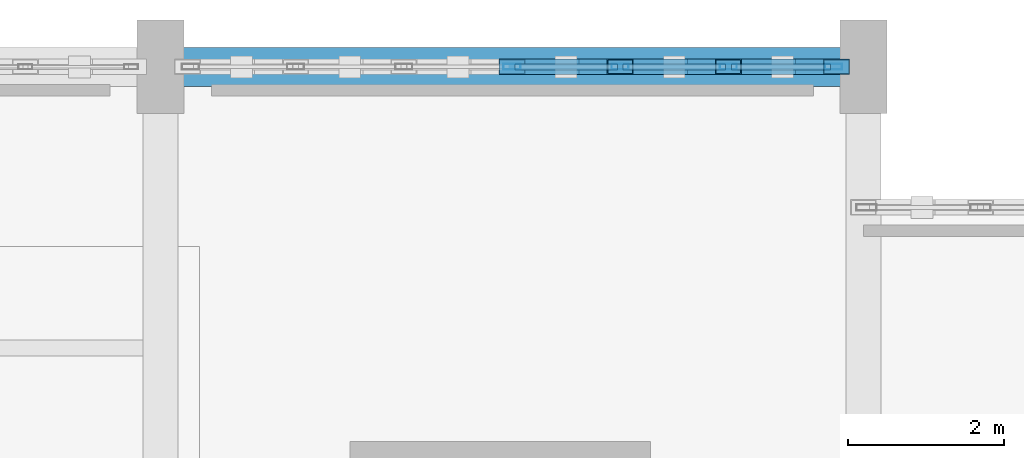
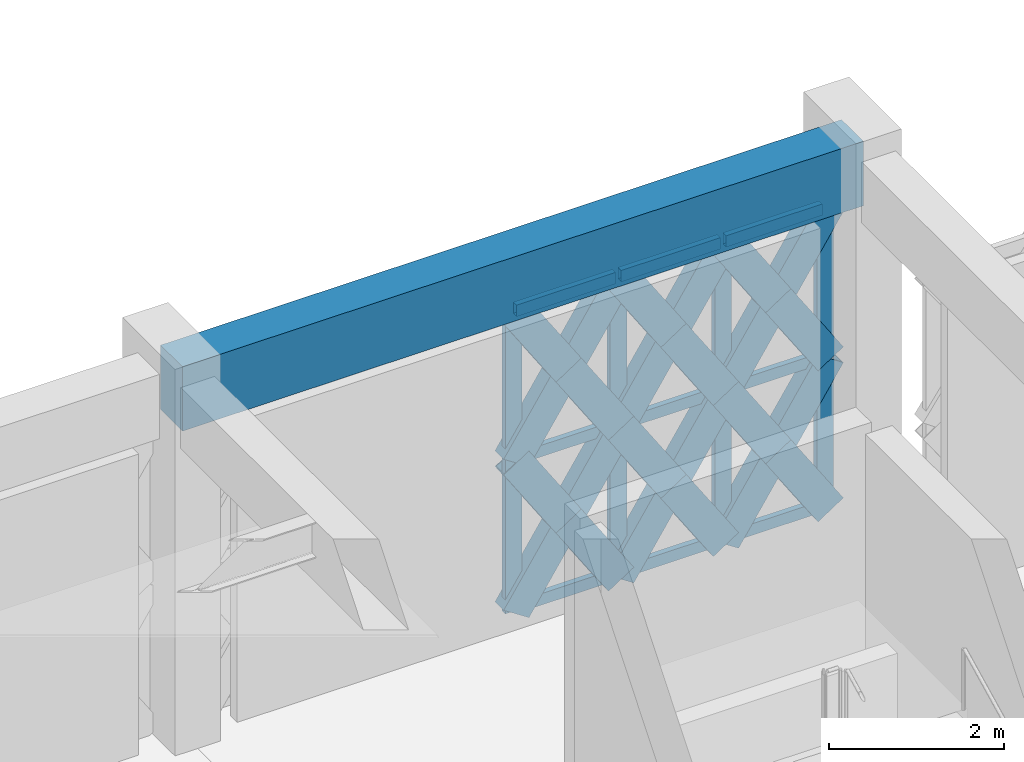
# One storey, part 76 of 140: 31 members, 1 beam, 1 element without a shape of its own.
"""IFC4 building model written with IfcOpenShell, lengths in metres."""

import ifcopenshell
import ifcopenshell.guid

model = None  # the IFC model being written
_history = None  # IfcOwnerHistory: only IFC2X3 demands one
_inside = {}  # id of a spatial element -> (the spatial element, [elements in it])
_under = {}  # id of a project, library or spatial element -> (it, [spatial elements below it])
_declared = {}  # id of a project -> (the project, [libraries it declares])
_typed = {}  # id of a type object -> (the type object, [elements of that type])
_made_of = {}  # id of a material, layer set ... -> (it, [elements and type objects made of it])


def new_model(schema):
    """Start an empty IFC model of exactly this schema.

    Asked for "IFC4X3", IfcOpenShell would pick the latest addendum, in which some entities
    have other attributes; the version numbers below select the first issue.
    IFC2X3 requires an IfcOwnerHistory on every rooted entity: one is made here for all.
    """
    global model, _history
    if schema == "IFC4X3":
        model = ifcopenshell.file(schema_version=(4, 3, 0, 0))
    else:
        model = ifcopenshell.file(schema=schema)
    _inside.clear()
    _under.clear()
    _declared.clear()
    _typed.clear()
    _made_of.clear()
    _history = None
    if model.schema == "IFC2X3":
        org = make("IfcOrganization", Name="unknown")
        user = make(
            "IfcPersonAndOrganization",
            ThePerson=make("IfcPerson", FamilyName="unknown"),
            TheOrganization=org,
        )
        app = make(
            "IfcApplication",
            ApplicationDeveloper=org,
            Version="unknown",
            ApplicationFullName="unknown",
            ApplicationIdentifier="unknown",
        )
        _history = make(
            "IfcOwnerHistory",
            OwningUser=user,
            OwningApplication=app,
            ChangeAction="ADDED",
            CreationDate=0,
        )
    return model


def make(cls, **values):
    """One entity of the class cls with the attributes given. An attribute that is None is left unset."""
    return model.create_entity(
        cls, **{name: value for name, value in values.items() if value is not None}
    )


def rooted(cls, **values):
    """An entity with a GlobalId (a new one), such as an element, a storey or a relation."""
    return make(cls, GlobalId=ifcopenshell.guid.new(), OwnerHistory=_history, **values)


def si_unit(unit_type, name, prefix=None):
    """IfcSIUnit, for example si_unit("LENGTHUNIT", "METRE", prefix="MILLI")."""
    return make("IfcSIUnit", UnitType=unit_type, Prefix=prefix, Name=name)


def assignment(units):
    """IfcUnitAssignment: the units of a project."""
    return None if units is None else make("IfcUnitAssignment", Units=units)


def point(xyz):
    """IfcCartesianPoint."""
    return None if xyz is None else make("IfcCartesianPoint", Coordinates=xyz)


def direction(xyz):
    """IfcDirection."""
    return None if xyz is None else make("IfcDirection", DirectionRatios=xyz)


def frame(location, z_axis=None, x_axis=None):
    """IfcAxis2Placement3D, a coordinate frame: its origin and axes. An axis left out is left unset."""
    return make(
        "IfcAxis2Placement3D",
        Location=point(location),
        Axis=direction(z_axis),
        RefDirection=direction(x_axis),
    )


def frame_2d(location, x_axis=None):
    """IfcAxis2Placement2D, a coordinate frame in the plane: its origin and x axis."""
    return make(
        "IfcAxis2Placement2D", Location=point(location), RefDirection=direction(x_axis)
    )


def origin():
    """The frame at (0, 0, 0) with its axes left unset."""
    return frame((0.0, 0.0, 0.0))


def origin_2d():
    """The frame at (0, 0) in the plane with its x axis left unset."""
    return frame_2d((0.0, 0.0))


def place(relative_to, where):
    """IfcLocalPlacement: puts the frame where relative to a parent placement (None: the world)."""
    return make(
        "IfcLocalPlacement", PlacementRelTo=relative_to, RelativePlacement=where
    )


def context(
    kind, dimensions, precision=None, world=None, true_north=None, identifier=None
):
    """IfcGeometricRepresentationContext, for example the 3D "Model" context."""
    return make(
        "IfcGeometricRepresentationContext",
        ContextIdentifier=identifier,
        ContextType=kind,
        CoordinateSpaceDimension=dimensions,
        Precision=precision,
        WorldCoordinateSystem=world,
        TrueNorth=true_north,
    )


def subcontext(parent, identifier, kind, view, scale=None):
    """IfcGeometricRepresentationSubContext, for example "Body" below "Model"."""
    return make(
        "IfcGeometricRepresentationSubContext",
        ContextIdentifier=identifier,
        ContextType=kind,
        ParentContext=parent,
        TargetScale=scale,
        TargetView=view,
    )


def project(units=None, contexts=None):
    """IfcProject with its units and contexts."""
    return rooted(
        "IfcProject",
        Name="project",
        RepresentationContexts=contexts,
        UnitsInContext=assignment(units),
    )


def spatial(cls, under=None, at=None, **own):
    """A site, building, storey or space (cls), placed at a placement, below another one or the project."""
    s = rooted(cls, ObjectPlacement=at, **own)
    if under is not None:
        _under.setdefault(under.id(), (under, []))[1].append(s)
    return s


def profile(cls, at=None, kind="AREA", **sizes):
    """A parametric profile (cls). Its sizes go by their IFC names, for example OverallWidth=200.0."""
    return make(cls, ProfileType=kind, Position=at, **sizes)


def rectangle(**sizes):
    """IfcRectangleProfileDef."""
    return profile("IfcRectangleProfileDef", **sizes)


def hollow_rectangle(**sizes):
    """IfcRectangleHollowProfileDef."""
    return profile("IfcRectangleHollowProfileDef", **sizes)


def extrude(swept, where, along, depth):
    """IfcExtrudedAreaSolid: the profile swept, set in the frame where, extruded along a direction by depth."""
    return make(
        "IfcExtrudedAreaSolid",
        SweptArea=swept,
        Position=where,
        ExtrudedDirection=direction(along),
        Depth=depth,
    )


def shape(context_of_items, identifier, shape_type, items):
    """IfcShapeRepresentation: the items that make up one representation, for example the "Body"."""
    return make(
        "IfcShapeRepresentation",
        ContextOfItems=context_of_items,
        RepresentationIdentifier=identifier,
        RepresentationType=shape_type,
        Items=items,
    )


def material(Name=None, Category=None):
    """IfcMaterial."""
    return make("IfcMaterial", Name=Name, Category=Category)


def material_profile(
    of_material, cross_section, Name=None, Category=None, Priority=None
):
    """IfcMaterialProfile: a cross section and its material."""
    return make(
        "IfcMaterialProfile",
        Name=Name,
        Material=of_material,
        Profile=cross_section,
        Priority=Priority,
        Category=Category,
    )


def profile_set(profiles, Name=None, composite=None):
    """IfcMaterialProfileSet."""
    return make(
        "IfcMaterialProfileSet",
        Name=Name,
        MaterialProfiles=profiles,
        CompositeProfile=composite,
    )


def made_of(thing, what):
    """Note that an element or type object is made of a material, layer set ...; save() writes the relation."""
    if what is not None:
        _made_of.setdefault(what.id(), (what, []))[1].append(thing)
    return thing


def type_object(cls, material=None, **own):
    """A type object (cls), such as IfcWallType, which elements share."""
    return made_of(rooted(cls, **own), material)


def element(
    cls,
    number,
    at=None,
    inside=None,
    cuts=None,
    type_object=None,
    material=None,
    context=None,
    identifier="Body",
    shape_type=None,
    held_by="IfcProductDefinitionShape",
    body=None,
    shapes=None,
    **own,
):
    """One element of the class cls, such as IfcWall. Its Tag is "e" and its number.

    at: its placement. inside: the storey or other place that contains it. cuts: it is an
    opening in that element (IfcRelVoidsElement). A single representation is given by context,
    identifier, shape_type and body (its items); several are given by shapes. held_by: the class
    of the entity that holds the representations. save() writes the other relations.
    """
    e = rooted(cls, Tag="e%d" % number, ObjectPlacement=at, **own)
    if body is not None:
        shapes = [shape(context, identifier, shape_type, body)]
    if shapes is not None:
        e.Representation = make(held_by, Representations=shapes)
    if inside is not None:
        _inside.setdefault(inside.id(), (inside, []))[1].append(e)
    if cuts is not None:
        rooted(
            "IfcRelVoidsElement", RelatingBuildingElement=cuts, RelatedOpeningElement=e
        )
    if type_object is not None:
        _typed.setdefault(type_object.id(), (type_object, []))[1].append(e)
    return made_of(e, material)


def aggregate(whole, parts):
    """IfcRelAggregates: a whole, such as a stair, and the parts it consists of."""
    return rooted("IfcRelAggregates", RelatingObject=whole, RelatedObjects=parts)


def save(model, path):
    """Write the relations noted so far, then the file.

    IfcRelAggregates (storeys below a building ...), IfcRelContainedInSpatialStructure (elements
    in a storey), IfcRelDefinesByType, IfcRelAssociatesMaterial and IfcRelDeclares: one each for
    every whole, place, type object, material and project.
    """
    for whole, parts in _under.values():
        aggregate(whole, parts)
    for where, things in _inside.values():
        rooted(
            "IfcRelContainedInSpatialStructure",
            RelatedElements=things,
            RelatingStructure=where,
        )
    for kind, things in _typed.values():
        rooted("IfcRelDefinesByType", RelatedObjects=things, RelatingType=kind)
    for what, things in _made_of.values():
        rooted("IfcRelAssociatesMaterial", RelatedObjects=things, RelatingMaterial=what)
    for by, libraries in _declared.values():
        rooted("IfcRelDeclares", RelatingContext=by, RelatedDefinitions=libraries)
    model.write(path)


model = new_model("IFC4")

# Units and contexts
model_context = context("Model", 3, precision=1e-05, world=origin(), true_north=direction((0.0, 1.0)))
body_context = subcontext(model_context, "Body", "Model", "MODEL_VIEW")
ifc_project = project(units=[si_unit("LENGTHUNIT", "METRE"), si_unit("AREAUNIT", "SQUARE_METRE"), si_unit("VOLUMEUNIT", "CUBIC_METRE"), si_unit("PLANEANGLEUNIT", "RADIAN"), si_unit("MASSUNIT", "GRAM", prefix="KILO")], contexts=[model_context])

# Site, building, storey
site_placement = place(None, origin())
site = spatial("IfcSite", under=ifc_project, at=site_placement, CompositionType="ELEMENT")
building_placement = place(site_placement, origin())
building = spatial("IfcBuilding", under=site, at=building_placement, Name="Haizhuo Lancet Aquarium", CompositionType="ELEMENT")
storey_placement = place(building_placement, origin())
storey = spatial("IfcBuildingStorey", under=building, at=storey_placement, Name="L00", CompositionType="ELEMENT", Elevation=0.0)

# Beam
ifc_material_1 = material(Name="Concrete C40/50", Category="concrete")
ifc_material_profile_1 = material_profile(ifc_material_1, rectangle(XDim=0.5, YDim=0.89990234375, at=origin_2d()), Name="RC-BM 500x900")
ifc_profile_set_1 = profile_set([ifc_material_profile_1], Name="Concrete C40/50")
beam_type = type_object("IfcBeamType", Name="BM-RC-500x900", PredefinedType="BEAM", material=ifc_profile_set_1)
beam_placement = place(storey_placement, frame((9.0, 55.800048828125, 4.669921875), z_axis=(1.0, 0.0, 0.0), x_axis=(0.0, 1.0, 0.0)))
element("IfcBeam", 1, at=beam_placement, inside=storey, type_object=beam_type, Name="L00 V5 primary girder BM-L00-V5-027", PredefinedType="BEAM", context=body_context, shape_type="SweptSolid", body=[
    extrude(rectangle(XDim=0.5, YDim=0.89990234375, at=origin_2d()), origin(), (0.0, 0.0, 1.0), 9.0),
])

# Curtain wall, members
ifc_material_2 = material(Name="Aluminium 6063-T6", Category="aluminium")
curtain_wall_type = type_object("IfcCurtainWallType", Name="CWD-8310x4220", PredefinedType="NOTDEFINED", material=ifc_material_2)
curtain_wall_placement = place(storey_placement, origin())
curtain_wall = element("IfcCurtainWall", 2, at=curtain_wall_placement, inside=storey, type_object=curtain_wall_type, Name="L00 curtain wall CW-V5-L00-119", PredefinedType="NOTDEFINED")
ifc_material_profile_2 = material_profile(ifc_material_2, hollow_rectangle(XDim=0.074951171875, YDim=0.219970703125, WallThickness=0.0048828125, at=origin_2d()), Name="ALU-M 75x220x5")
ifc_profile_set_2 = profile_set([ifc_material_profile_2], Name="Aluminium 6063-T6")
member_type_1 = type_object("IfcMemberType", Name="CW-MUL-2", PredefinedType="MULLION", material=ifc_profile_set_2)
member_1_placement = place(storey_placement, frame((13.5, 55.800048828125, 0.0), z_axis=(0.0, 0.0, 1.0), x_axis=(0.0, 1.0, 0.0)))
member_1 = element("IfcMember", 3, at=member_1_placement, type_object=member_type_1, Name="CWD-83x42 mullion 4", PredefinedType="MULLION", context=body_context, shape_type="SweptSolid", body=[
    extrude(hollow_rectangle(XDim=0.074951171875, YDim=0.219970703125, WallThickness=0.0048828125, at=origin_2d()), origin(), (0.0, 0.0, 1.0), 4.219970703125),
])
member_2_placement = place(storey_placement, frame((14.885009765625, 55.800048828125, 0.0), z_axis=(0.0, 0.0, 1.0), x_axis=(0.0, 1.0, 0.0)))
member_2 = element("IfcMember", 4, at=member_2_placement, type_object=member_type_1, Name="CWD-83x42 mullion 5", PredefinedType="MULLION", context=body_context, shape_type="SweptSolid", body=[
    extrude(hollow_rectangle(XDim=0.074951171875, YDim=0.219970703125, WallThickness=0.0048828125, at=origin_2d()), origin(), (0.0, 0.0, 1.0), 4.219970703125),
])
member_3_placement = place(storey_placement, frame((16.27001953125, 55.800048828125, 0.0), z_axis=(0.0, 0.0, 1.0), x_axis=(0.0, 1.0, 0.0)))
member_3 = element("IfcMember", 5, at=member_3_placement, type_object=member_type_1, Name="CWD-83x42 mullion 6", PredefinedType="MULLION", context=body_context, shape_type="SweptSolid", body=[
    extrude(hollow_rectangle(XDim=0.074951171875, YDim=0.219970703125, WallThickness=0.0048828125, at=origin_2d()), origin(), (0.0, 0.0, 1.0), 4.219970703125),
])
member_4_placement = place(storey_placement, frame((17.616943359375, 55.800048828125, 0.0), z_axis=(0.0, 0.0, 1.0), x_axis=(0.0, 1.0, 0.0)))
member_4 = element("IfcMember", 6, at=member_4_placement, type_object=member_type_1, Name="CWD-83x42 mullion 7", PredefinedType="MULLION", context=body_context, shape_type="SweptSolid", body=[
    extrude(hollow_rectangle(XDim=0.074951171875, YDim=0.219970703125, WallThickness=0.0048828125, at=origin_2d()), origin(), (0.0, 0.0, 1.0), 4.219970703125),
])
ifc_material_profile_3 = material_profile(ifc_material_2, hollow_rectangle(XDim=0.074951171875, YDim=0.159912109375, WallThickness=0.00390625, at=origin_2d()), Name="ALU-T 75x160x4")
ifc_profile_set_3 = profile_set([ifc_material_profile_3], Name="Aluminium 6063-T6")
member_type_2 = type_object("IfcMemberType", Name="CW-TRN-2", PredefinedType="NOTDEFINED", material=ifc_profile_set_3)
member_5_placement = place(storey_placement, frame((13.5380859375, 55.800048828125, 0.037109375), z_axis=(1.0, 0.0, 0.0), x_axis=(0.0, 1.0, 0.0)))
member_5 = element("IfcMember", 7, at=member_5_placement, type_object=member_type_2, Name="CWD-83x42 transom 4.1", ObjectType="TRANSOM", PredefinedType="USERDEFINED", context=body_context, shape_type="SweptSolid", body=[
    extrude(hollow_rectangle(XDim=0.074951171875, YDim=0.159912109375, WallThickness=0.00390625, at=origin_2d()), origin(), (0.0, 0.0, 1.0), 1.309814453125),
])
member_6_placement = place(storey_placement, frame((13.5380859375, 55.800048828125, 2.110107421875), z_axis=(1.0, 0.0, 0.0), x_axis=(0.0, 1.0, 0.0)))
member_6 = element("IfcMember", 8, at=member_6_placement, type_object=member_type_2, Name="CWD-83x42 transom 4.2", ObjectType="TRANSOM", PredefinedType="USERDEFINED", context=body_context, shape_type="SweptSolid", body=[
    extrude(hollow_rectangle(XDim=0.074951171875, YDim=0.159912109375, WallThickness=0.00390625, at=origin_2d()), origin(), (0.0, 0.0, 1.0), 1.309814453125),
])
member_7_placement = place(storey_placement, frame((13.5380859375, 55.800048828125, 4.18310546875), z_axis=(1.0, 0.0, 0.0), x_axis=(0.0, 1.0, 0.0)))
member_7 = element("IfcMember", 9, at=member_7_placement, type_object=member_type_2, Name="CWD-83x42 transom 4.3", ObjectType="TRANSOM", PredefinedType="USERDEFINED", context=body_context, shape_type="SweptSolid", body=[
    extrude(hollow_rectangle(XDim=0.074951171875, YDim=0.159912109375, WallThickness=0.00390625, at=origin_2d()), origin(), (0.0, 0.0, 1.0), 1.309814453125),
])
member_8_placement = place(storey_placement, frame((14.922119140625, 55.800048828125, 0.037109375), z_axis=(1.0, 0.0, 0.0), x_axis=(0.0, 1.0, 0.0)))
member_8 = element("IfcMember", 10, at=member_8_placement, type_object=member_type_2, Name="CWD-83x42 transom 5.1", ObjectType="TRANSOM", PredefinedType="USERDEFINED", context=body_context, shape_type="SweptSolid", body=[
    extrude(hollow_rectangle(XDim=0.074951171875, YDim=0.159912109375, WallThickness=0.00390625, at=origin_2d()), origin(), (0.0, 0.0, 1.0), 1.310791015625),
])
member_9_placement = place(storey_placement, frame((14.922119140625, 55.800048828125, 2.110107421875), z_axis=(1.0, 0.0, 0.0), x_axis=(0.0, 1.0, 0.0)))
member_9 = element("IfcMember", 11, at=member_9_placement, type_object=member_type_2, Name="CWD-83x42 transom 5.2", ObjectType="TRANSOM", PredefinedType="USERDEFINED", context=body_context, shape_type="SweptSolid", body=[
    extrude(hollow_rectangle(XDim=0.074951171875, YDim=0.159912109375, WallThickness=0.00390625, at=origin_2d()), origin(), (0.0, 0.0, 1.0), 1.310791015625),
])
member_10_placement = place(storey_placement, frame((14.922119140625, 55.800048828125, 4.18310546875), z_axis=(1.0, 0.0, 0.0), x_axis=(0.0, 1.0, 0.0)))
member_10 = element("IfcMember", 12, at=member_10_placement, type_object=member_type_2, Name="CWD-83x42 transom 5.3", ObjectType="TRANSOM", PredefinedType="USERDEFINED", context=body_context, shape_type="SweptSolid", body=[
    extrude(hollow_rectangle(XDim=0.074951171875, YDim=0.159912109375, WallThickness=0.00390625, at=origin_2d()), origin(), (0.0, 0.0, 1.0), 1.310791015625),
])
member_11_placement = place(storey_placement, frame((16.30810546875, 55.800048828125, 0.037109375), z_axis=(1.0, 0.0, 0.0), x_axis=(0.0, 1.0, 0.0)))
member_11 = element("IfcMember", 13, at=member_11_placement, type_object=member_type_2, Name="CWD-83x42 transom 6.1", ObjectType="TRANSOM", PredefinedType="USERDEFINED", context=body_context, shape_type="SweptSolid", body=[
    extrude(hollow_rectangle(XDim=0.074951171875, YDim=0.159912109375, WallThickness=0.00390625, at=origin_2d()), origin(), (0.0, 0.0, 1.0), 1.27197265625),
])
member_12_placement = place(storey_placement, frame((16.30810546875, 55.800048828125, 2.110107421875), z_axis=(1.0, 0.0, 0.0), x_axis=(0.0, 1.0, 0.0)))
member_12 = element("IfcMember", 14, at=member_12_placement, type_object=member_type_2, Name="CWD-83x42 transom 6.2", ObjectType="TRANSOM", PredefinedType="USERDEFINED", context=body_context, shape_type="SweptSolid", body=[
    extrude(hollow_rectangle(XDim=0.074951171875, YDim=0.159912109375, WallThickness=0.00390625, at=origin_2d()), origin(), (0.0, 0.0, 1.0), 1.27197265625),
])
member_13_placement = place(storey_placement, frame((16.30810546875, 55.800048828125, 4.18310546875), z_axis=(1.0, 0.0, 0.0), x_axis=(0.0, 1.0, 0.0)))
member_13 = element("IfcMember", 15, at=member_13_placement, type_object=member_type_2, Name="CWD-83x42 transom 6.3", ObjectType="TRANSOM", PredefinedType="USERDEFINED", context=body_context, shape_type="SweptSolid", body=[
    extrude(hollow_rectangle(XDim=0.074951171875, YDim=0.159912109375, WallThickness=0.00390625, at=origin_2d()), origin(), (0.0, 0.0, 1.0), 1.27197265625),
])
aggregate(curtain_wall, [member_1, member_2, member_3, member_4, member_5, member_6, member_7, member_8, member_9, member_10, member_11, member_12, member_13])

# Members
ifc_material_3 = material(Name="Steel S355", Category="steel")
ifc_material_profile_4 = material_profile(ifc_material_3, hollow_rectangle(XDim=0.199951171875, YDim=0.39990234375, WallThickness=0.011962890625, at=origin_2d()), Name="RHS 200x400x12")
ifc_profile_set_4 = profile_set([ifc_material_profile_4], Name="Steel S355")
member_type_3 = type_object("IfcMemberType", Name="MEM-LB-RHS200x400", PredefinedType="BRACE", material=ifc_profile_set_4)
member_14_placement = place(storey_placement, frame((13.5, 55.800048828125, 0.0), z_axis=(0.548726161473, 0.0, 0.836002152937), x_axis=(0.0, 1.0, 0.0)))
element("IfcMember", 16, at=member_14_placement, inside=storey, type_object=member_type_3, Name="Gothic lancet continuous diagonal brace CW-V5-L00-119 7A", PredefinedType="BRACE", context=body_context, shape_type="SweptSolid", body=[
    extrude(hollow_rectangle(XDim=0.199951171875, YDim=0.39990234375, WallThickness=0.011962890625, at=origin_2d()), origin(), (0.0, 0.0, 1.0), 2.52392578125),
])
member_15_placement = place(storey_placement, frame((14.885009765625, 55.800048828125, 0.0), z_axis=(-0.549108413745, 0.0, 0.835751129197), x_axis=(0.0, -1.0, 0.0)))
element("IfcMember", 17, at=member_15_placement, inside=storey, type_object=member_type_3, Name="Gothic lancet split diagonal brace CW-V5-L00-119 7B1", PredefinedType="BRACE", context=body_context, shape_type="SweptSolid", body=[
    extrude(hollow_rectangle(XDim=0.199951171875, YDim=0.39990234375, WallThickness=0.011962890625, at=origin_2d()), origin(), (0.0, 0.0, 1.0), 1.26220703125),
])
member_16_placement = place(storey_placement, frame((14.19189453125, 55.800048828125, 1.054931640625), z_axis=(-0.548343653292, 0.0, 0.8362530944), x_axis=(0.0, -1.0, 0.0)))
element("IfcMember", 18, at=member_16_placement, inside=storey, type_object=member_type_3, Name="Gothic lancet split diagonal brace CW-V5-L00-119 7B2", PredefinedType="BRACE", context=body_context, shape_type="SweptSolid", body=[
    extrude(hollow_rectangle(XDim=0.199951171875, YDim=0.39990234375, WallThickness=0.011962890625, at=origin_2d()), origin(), (0.0, 0.0, 1.0), 1.26171875),
])
member_17_placement = place(storey_placement, frame((13.5, 55.800048828125, 2.110107421875), z_axis=(0.548770535976, 0.0, 0.83597302519), x_axis=(0.0, 1.0, 0.0)))
element("IfcMember", 19, at=member_17_placement, inside=storey, type_object=member_type_3, Name="Gothic lancet continuous diagonal brace CW-V5-L00-119 8A", PredefinedType="BRACE", context=body_context, shape_type="SweptSolid", body=[
    extrude(hollow_rectangle(XDim=0.199951171875, YDim=0.39990234375, WallThickness=0.011962890625, at=origin_2d()), origin(), (0.0, 0.0, 1.0), 2.52392578125),
])
member_18_placement = place(storey_placement, frame((14.885009765625, 55.800048828125, 2.110107421875), z_axis=(-0.549108413745, 0.0, 0.835751129197), x_axis=(0.0, -1.0, 0.0)))
element("IfcMember", 20, at=member_18_placement, inside=storey, type_object=member_type_3, Name="Gothic lancet split diagonal brace CW-V5-L00-119 8B1", PredefinedType="BRACE", context=body_context, shape_type="SweptSolid", body=[
    extrude(hollow_rectangle(XDim=0.199951171875, YDim=0.39990234375, WallThickness=0.011962890625, at=origin_2d()), origin(), (0.0, 0.0, 1.0), 1.26220703125),
])
member_19_placement = place(storey_placement, frame((14.19189453125, 55.800048828125, 3.1650390625), z_axis=(-0.548432389058, 0.0, 0.8361949023), x_axis=(0.0, -1.0, 0.0)))
element("IfcMember", 21, at=member_19_placement, inside=storey, type_object=member_type_3, Name="Gothic lancet split diagonal brace CW-V5-L00-119 8B2", PredefinedType="BRACE", context=body_context, shape_type="SweptSolid", body=[
    extrude(hollow_rectangle(XDim=0.199951171875, YDim=0.39990234375, WallThickness=0.011962890625, at=origin_2d()), origin(), (0.0, 0.0, 1.0), 1.261474609375),
])
member_20_placement = place(storey_placement, frame((14.885009765625, 55.800048828125, 0.0), z_axis=(0.548726161473, 0.0, 0.836002152937), x_axis=(0.0, 1.0, 0.0)))
element("IfcMember", 22, at=member_20_placement, inside=storey, type_object=member_type_3, Name="Gothic lancet continuous diagonal brace CW-V5-L00-119 9A", PredefinedType="BRACE", context=body_context, shape_type="SweptSolid", body=[
    extrude(hollow_rectangle(XDim=0.199951171875, YDim=0.39990234375, WallThickness=0.011962890625, at=origin_2d()), origin(), (0.0, 0.0, 1.0), 2.52392578125),
])
member_21_placement = place(storey_placement, frame((16.27001953125, 55.800048828125, 0.0), z_axis=(-0.54856768013, 0.0, 0.836106153737), x_axis=(0.0, -1.0, 0.0)))
element("IfcMember", 23, at=member_21_placement, inside=storey, type_object=member_type_3, Name="Gothic lancet split diagonal brace CW-V5-L00-119 9B1", PredefinedType="BRACE", context=body_context, shape_type="SweptSolid", body=[
    extrude(hollow_rectangle(XDim=0.199951171875, YDim=0.39990234375, WallThickness=0.011962890625, at=origin_2d()), origin(), (0.0, 0.0, 1.0), 1.26171875),
])
member_22_placement = place(storey_placement, frame((15.577880859375, 55.800048828125, 1.054931640625), z_axis=(-0.548884547031, 0.0, 0.835898172046), x_axis=(0.0, -1.0, 0.0)))
element("IfcMember", 24, at=member_22_placement, inside=storey, type_object=member_type_3, Name="Gothic lancet split diagonal brace CW-V5-L00-119 9B2", PredefinedType="BRACE", context=body_context, shape_type="SweptSolid", body=[
    extrude(hollow_rectangle(XDim=0.199951171875, YDim=0.39990234375, WallThickness=0.011962890625, at=origin_2d()), origin(), (0.0, 0.0, 1.0), 1.26220703125),
])
member_23_placement = place(storey_placement, frame((14.885009765625, 55.800048828125, 2.110107421875), z_axis=(0.548770535976, 0.0, 0.83597302519), x_axis=(0.0, 1.0, 0.0)))
element("IfcMember", 25, at=member_23_placement, inside=storey, type_object=member_type_3, Name="Gothic lancet continuous diagonal brace CW-V5-L00-119 10A", PredefinedType="BRACE", context=body_context, shape_type="SweptSolid", body=[
    extrude(hollow_rectangle(XDim=0.199951171875, YDim=0.39990234375, WallThickness=0.011962890625, at=origin_2d()), origin(), (0.0, 0.0, 1.0), 2.52392578125),
])
member_24_placement = place(storey_placement, frame((16.27001953125, 55.800048828125, 2.110107421875), z_axis=(-0.54856768013, 0.0, 0.836106153737), x_axis=(0.0, -1.0, 0.0)))
element("IfcMember", 26, at=member_24_placement, inside=storey, type_object=member_type_3, Name="Gothic lancet split diagonal brace CW-V5-L00-119 10B1", PredefinedType="BRACE", context=body_context, shape_type="SweptSolid", body=[
    extrude(hollow_rectangle(XDim=0.199951171875, YDim=0.39990234375, WallThickness=0.011962890625, at=origin_2d()), origin(), (0.0, 0.0, 1.0), 1.26171875),
])
member_25_placement = place(storey_placement, frame((15.577880859375, 55.800048828125, 3.1650390625), z_axis=(-0.548973294927, 0.0, 0.835839889845), x_axis=(0.0, -1.0, 0.0)))
element("IfcMember", 27, at=member_25_placement, inside=storey, type_object=member_type_3, Name="Gothic lancet split diagonal brace CW-V5-L00-119 10B2", PredefinedType="BRACE", context=body_context, shape_type="SweptSolid", body=[
    extrude(hollow_rectangle(XDim=0.199951171875, YDim=0.39990234375, WallThickness=0.011962890625, at=origin_2d()), origin(), (0.0, 0.0, 1.0), 1.26220703125),
])
member_26_placement = place(storey_placement, frame((16.27001953125, 55.800048828125, 0.0), z_axis=(0.548726161473, 0.0, 0.836002152937), x_axis=(0.0, 1.0, 0.0)))
element("IfcMember", 28, at=member_26_placement, inside=storey, type_object=member_type_3, Name="Gothic lancet continuous diagonal brace CW-V5-L00-119 11A", PredefinedType="BRACE", context=body_context, shape_type="SweptSolid", body=[
    extrude(hollow_rectangle(XDim=0.199951171875, YDim=0.39990234375, WallThickness=0.011962890625, at=origin_2d()), origin(), (0.0, 0.0, 1.0), 2.52392578125),
])
member_27_placement = place(storey_placement, frame((17.655029296875, 55.800048828125, 0.0), z_axis=(-0.549108413745, 0.0, 0.835751129197), x_axis=(0.0, -1.0, 0.0)))
element("IfcMember", 29, at=member_27_placement, inside=storey, type_object=member_type_3, Name="Gothic lancet split diagonal brace CW-V5-L00-119 11B1", PredefinedType="BRACE", context=body_context, shape_type="SweptSolid", body=[
    extrude(hollow_rectangle(XDim=0.199951171875, YDim=0.39990234375, WallThickness=0.011962890625, at=origin_2d()), origin(), (0.0, 0.0, 1.0), 1.26220703125),
])
member_28_placement = place(storey_placement, frame((16.9619140625, 55.800048828125, 1.054931640625), z_axis=(-0.548343653292, 0.0, 0.8362530944), x_axis=(0.0, -1.0, 0.0)))
element("IfcMember", 30, at=member_28_placement, inside=storey, type_object=member_type_3, Name="Gothic lancet split diagonal brace CW-V5-L00-119 11B2", PredefinedType="BRACE", context=body_context, shape_type="SweptSolid", body=[
    extrude(hollow_rectangle(XDim=0.199951171875, YDim=0.39990234375, WallThickness=0.011962890625, at=origin_2d()), origin(), (0.0, 0.0, 1.0), 1.26171875),
])
member_29_placement = place(storey_placement, frame((16.27001953125, 55.800048828125, 2.110107421875), z_axis=(0.548770535976, 0.0, 0.83597302519), x_axis=(0.0, 1.0, 0.0)))
element("IfcMember", 31, at=member_29_placement, inside=storey, type_object=member_type_3, Name="Gothic lancet continuous diagonal brace CW-V5-L00-119 12A", PredefinedType="BRACE", context=body_context, shape_type="SweptSolid", body=[
    extrude(hollow_rectangle(XDim=0.199951171875, YDim=0.39990234375, WallThickness=0.011962890625, at=origin_2d()), origin(), (0.0, 0.0, 1.0), 2.52392578125),
])
member_30_placement = place(storey_placement, frame((17.655029296875, 55.800048828125, 2.110107421875), z_axis=(-0.549108413745, 0.0, 0.835751129197), x_axis=(0.0, -1.0, 0.0)))
element("IfcMember", 32, at=member_30_placement, inside=storey, type_object=member_type_3, Name="Gothic lancet split diagonal brace CW-V5-L00-119 12B1", PredefinedType="BRACE", context=body_context, shape_type="SweptSolid", body=[
    extrude(hollow_rectangle(XDim=0.199951171875, YDim=0.39990234375, WallThickness=0.011962890625, at=origin_2d()), origin(), (0.0, 0.0, 1.0), 1.26220703125),
])
member_31_placement = place(storey_placement, frame((16.9619140625, 55.800048828125, 3.1650390625), z_axis=(-0.548432389058, 0.0, 0.8361949023), x_axis=(0.0, -1.0, 0.0)))
element("IfcMember", 33, at=member_31_placement, inside=storey, type_object=member_type_3, Name="Gothic lancet split diagonal brace CW-V5-L00-119 12B2", PredefinedType="BRACE", context=body_context, shape_type="SweptSolid", body=[
    extrude(hollow_rectangle(XDim=0.199951171875, YDim=0.39990234375, WallThickness=0.011962890625, at=origin_2d()), origin(), (0.0, 0.0, 1.0), 1.261474609375),
])

save(model, "model.ifc")
